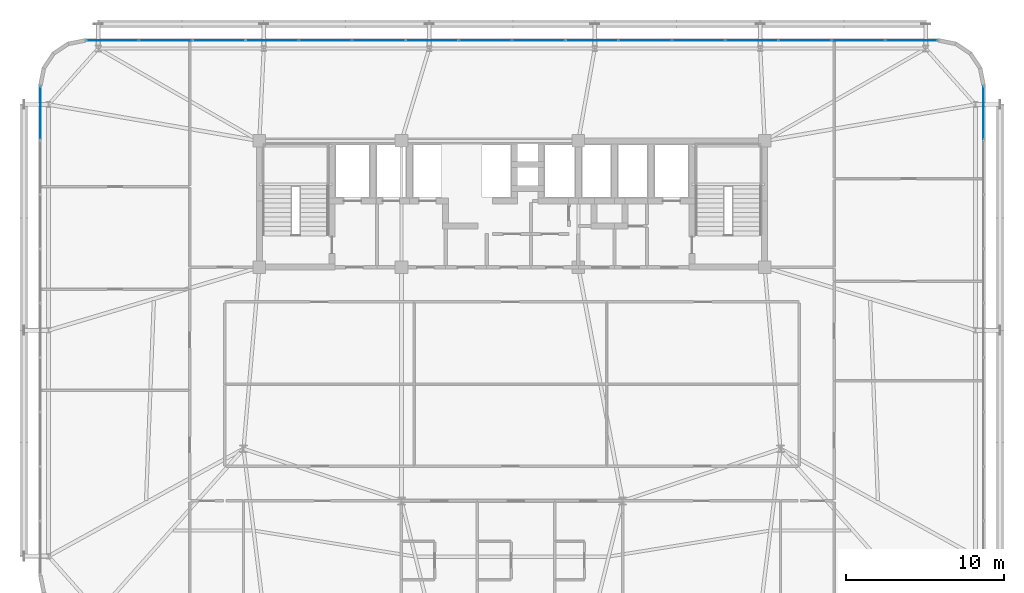
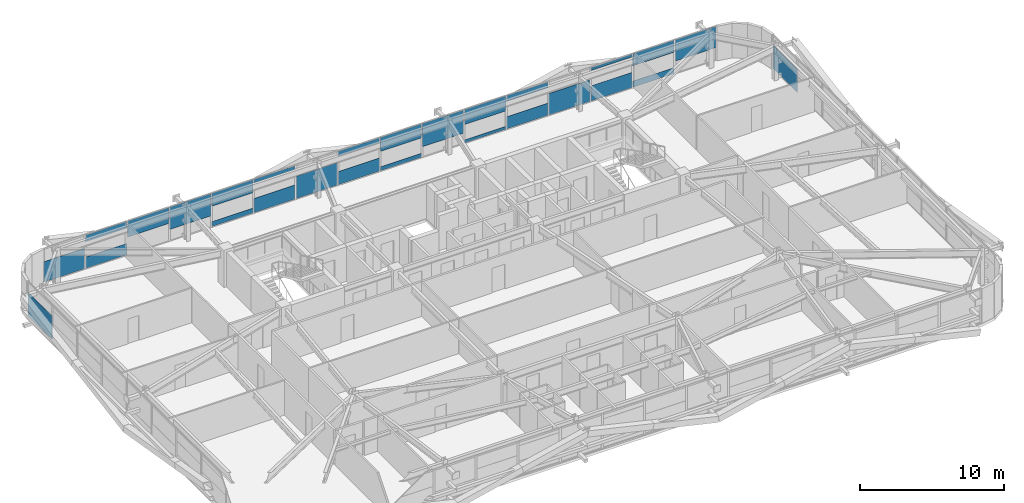
# One storey, part 43 of 59: 27 plates, 3 elements without a shape of their own.
"""IFC4 building model written with IfcOpenShell, lengths in metres."""

from ifc_helpers import new_model, si_unit, direction, frame, origin, origin_2d, place, context, subcontext, project, spatial, rectangle, extrude, source, transform, mapped, material, layer, layer_set, type_object, element, aggregate, save


model = new_model("IFC4")

# Units and contexts
model_context = context("Model", 3, precision=1e-05, world=origin(), true_north=direction((0.0, 1.0)))
body_context = subcontext(model_context, "Body", "Model", "MODEL_VIEW")
ifc_project = project(units=[si_unit("LENGTHUNIT", "METRE"), si_unit("AREAUNIT", "SQUARE_METRE"), si_unit("VOLUMEUNIT", "CUBIC_METRE"), si_unit("PLANEANGLEUNIT", "RADIAN"), si_unit("MASSUNIT", "GRAM", prefix="KILO")], contexts=[model_context])

# Site, building, storey
site_placement = place(None, origin())
site = spatial("IfcSite", under=ifc_project, at=site_placement, CompositionType="ELEMENT")
building_placement = place(site_placement, origin())
building = spatial("IfcBuilding", under=site, at=building_placement, Name="Taldren Reach Tower", CompositionType="ELEMENT")
storey_placement = place(building_placement, frame((0.0, 0.0, 45.14990234375)))
storey = spatial("IfcBuildingStorey", under=building, at=storey_placement, Name="L13", CompositionType="ELEMENT", Elevation=45.14990234375)

# Curtain wall, plates
ifc_material_1 = material(Name="Aluminium and Low-E Glass Unitised System", Category="aluminium")
ifc_layer_1 = layer(ifc_material_1, 0.159912109375)
ifc_layer_set_1 = layer_set([ifc_layer_1], Name="Aluminium and Low-E Glass Unitised System")
curtain_wall_type = type_object("IfcCurtainWallType", Name="CW-SYS-2", PredefinedType="NOTDEFINED", material=ifc_layer_set_1)
curtain_wall_1_placement = place(storey_placement, origin())
curtain_wall_1 = element("IfcCurtainWall", 1, at=curtain_wall_1_placement, inside=storey, type_object=curtain_wall_type, Name="Unitised curtain wall CW-L13-N", PredefinedType="NOTDEFINED")
ifc_material_2 = material(Name="Solar-Control Double Glazed IGU", Category="glass")
ifc_layer_2 = layer(ifc_material_2, 0.031982421875)
ifc_layer_set_2 = layer_set([ifc_layer_2], Name="Solar-Control Double Glazed IGU")
plate_type = type_object("IfcPlateType", Name="CW-PNL-IGU32", PredefinedType="CURTAIN_PANEL", material=ifc_layer_set_2)
shared_shape_1 = source(origin(), body_context, "Body", "SweptSolid", [
    extrude(rectangle(XDim=3.277587890625, YDim=0.031982421875, at=origin_2d()), origin(), (0.0, 0.0, 1.0), 1.73876953125),
])
plate_1_placement = place(storey_placement, frame((9.703857421875, 38.360107421875, 0.05517578125), z_axis=(0.0, 0.0, 1.0), x_axis=(-1.0, 0.0, 0.0)))
plate_1 = element("IfcPlate", 2, at=plate_1_placement, type_object=plate_type, Name="CW-2 panel 16.1 part 1", PredefinedType="CURTAIN_PANEL", context=body_context, shape_type="MappedRepresentation", body=[
    mapped(shared_shape_1, transform((0.0, 0.0, 0.0), scale=1.0)),
])
shared_shape_2 = source(origin(), body_context, "Body", "SweptSolid", [
    extrude(rectangle(XDim=3.31005859375, YDim=0.031982421875, at=origin_2d()), origin(), (0.0, 0.0, 1.0), 0.9560546875),
])
plate_2_placement = place(storey_placement, frame((13.0625, 38.360107421875, 0.05517578125), z_axis=(0.0, 0.0, 1.0), x_axis=(-1.0, 0.0, 0.0)))
plate_2 = element("IfcPlate", 3, at=plate_2_placement, type_object=plate_type, Name="CW-2 panel 15.1 part 1", PredefinedType="CURTAIN_PANEL", context=body_context, shape_type="MappedRepresentation", body=[
    mapped(shared_shape_2, transform((0.0, 0.0, 0.0), scale=1.0)),
])
shared_shape_3 = source(origin(), body_context, "Body", "SweptSolid", [
    extrude(rectangle(XDim=3.31005859375, YDim=0.031982421875, at=origin_2d()), origin(), (0.0, 0.0, 1.0), 0.562744140625),
])
plate_3_placement = place(storey_placement, frame((13.0625, 38.360107421875, 2.3125), z_axis=(0.0, 0.0, 1.0), x_axis=(-1.0, 0.0, 0.0)))
plate_3 = element("IfcPlate", 4, at=plate_3_placement, type_object=plate_type, Name="CW-2 panel 15.1 part 2", PredefinedType="CURTAIN_PANEL", context=body_context, shape_type="MappedRepresentation", body=[
    mapped(shared_shape_3, transform((0.0, 0.0, 0.0), scale=1.0)),
])
shared_shape_4 = source(origin(), body_context, "Body", "SweptSolid", [
    extrude(rectangle(XDim=3.31005859375, YDim=0.031982421875, at=origin_2d()), origin(), (0.0, 0.0, 1.0), 1.345458984375),
])
plate_4_placement = place(storey_placement, frame((16.4375, 38.360107421875, 1.52978515625), z_axis=(0.0, 0.0, 1.0), x_axis=(-1.0, 0.0, 0.0)))
plate_4 = element("IfcPlate", 5, at=plate_4_placement, type_object=plate_type, Name="CW-2 panel 14.1 part 1", PredefinedType="CURTAIN_PANEL", context=body_context, shape_type="MappedRepresentation", body=[
    mapped(shared_shape_4, transform((0.0, 0.0, 0.0), scale=1.0)),
])
shared_shape_5 = source(origin(), body_context, "Body", "SweptSolid", [
    extrude(rectangle(XDim=3.31005859375, YDim=0.031982421875, at=origin_2d()), origin(), (0.0, 0.0, 1.0), 1.881103515625),
])
plate_5_placement = place(storey_placement, frame((19.8125, 38.360107421875, 0.994140625), z_axis=(0.0, 0.0, 1.0), x_axis=(-1.0, 0.0, 0.0)))
plate_5 = element("IfcPlate", 6, at=plate_5_placement, type_object=plate_type, Name="CW-2 panel 13.1 part 1", PredefinedType="CURTAIN_PANEL", context=body_context, shape_type="MappedRepresentation", body=[
    mapped(shared_shape_5, transform((0.0, 0.0, 0.0), scale=1.0)),
])
shared_shape_6 = source(origin(), body_context, "Body", "SweptSolid", [
    extrude(rectangle(XDim=3.31005859375, YDim=0.031982421875, at=origin_2d()), origin(), (0.0, 0.0, 1.0), 0.42041015625),
])
plate_6_placement = place(storey_placement, frame((23.1875, 38.360107421875, 0.05517578125), z_axis=(0.0, 0.0, 1.0), x_axis=(-1.0, 0.0, 0.0)))
plate_6 = element("IfcPlate", 7, at=plate_6_placement, type_object=plate_type, Name="CW-2 panel 12.1 part 1", PredefinedType="CURTAIN_PANEL", context=body_context, shape_type="MappedRepresentation", body=[
    mapped(shared_shape_6, transform((0.0, 0.0, 0.0), scale=1.0)),
])
shared_shape_7 = source(origin(), body_context, "Body", "SweptSolid", [
    extrude(rectangle(XDim=3.31005859375, YDim=0.031982421875, at=origin_2d()), origin(), (0.0, 0.0, 1.0), 1.098388671875),
])
plate_7_placement = place(storey_placement, frame((23.1875, 38.360107421875, 1.77685546875), z_axis=(0.0, 0.0, 1.0), x_axis=(-1.0, 0.0, 0.0)))
plate_7 = element("IfcPlate", 8, at=plate_7_placement, type_object=plate_type, Name="CW-2 panel 12.1 part 2", PredefinedType="CURTAIN_PANEL", context=body_context, shape_type="MappedRepresentation", body=[
    mapped(shared_shape_7, transform((0.0, 0.0, 0.0), scale=1.0)),
])
shared_shape_8 = source(origin(), body_context, "Body", "SweptSolid", [
    extrude(rectangle(XDim=3.31005859375, YDim=0.031982421875, at=origin_2d()), origin(), (0.0, 0.0, 1.0), 1.203125),
])
plate_8_placement = place(storey_placement, frame((26.5625, 38.360107421875, 0.05517578125), z_axis=(0.0, 0.0, 1.0), x_axis=(-1.0, 0.0, 0.0)))
plate_8 = element("IfcPlate", 9, at=plate_8_placement, type_object=plate_type, Name="CW-2 panel 11.1 part 1", PredefinedType="CURTAIN_PANEL", context=body_context, shape_type="MappedRepresentation", body=[
    mapped(shared_shape_8, transform((0.0, 0.0, 0.0), scale=1.0)),
])
shared_shape_9 = source(origin(), body_context, "Body", "SweptSolid", [
    extrude(rectangle(XDim=3.31005859375, YDim=0.031982421875, at=origin_2d()), origin(), (0.0, 0.0, 1.0), 0.31591796875),
])
plate_9_placement = place(storey_placement, frame((26.5625, 38.360107421875, 2.55908203125), z_axis=(0.0, 0.0, 1.0), x_axis=(-1.0, 0.0, 0.0)))
plate_9 = element("IfcPlate", 10, at=plate_9_placement, type_object=plate_type, Name="CW-2 panel 11.1 part 2", PredefinedType="CURTAIN_PANEL", context=body_context, shape_type="MappedRepresentation", body=[
    mapped(shared_shape_9, transform((0.0, 0.0, 0.0), scale=1.0)),
])
shared_shape_10 = source(origin(), body_context, "Body", "SweptSolid", [
    extrude(rectangle(XDim=3.31005859375, YDim=0.031982421875, at=origin_2d()), origin(), (0.0, 0.0, 1.0), 1.9033203125),
])
plate_10_placement = place(storey_placement, frame((29.9375, 38.360107421875, 0.05517578125), z_axis=(0.0, 0.0, 1.0), x_axis=(-1.0, 0.0, 0.0)))
plate_10 = element("IfcPlate", 11, at=plate_10_placement, type_object=plate_type, Name="CW-2 panel 10.1 part 1", PredefinedType="CURTAIN_PANEL", context=body_context, shape_type="MappedRepresentation", body=[
    mapped(shared_shape_10, transform((0.0, 0.0, 0.0), scale=1.0)),
])
shared_shape_11 = source(origin(), body_context, "Body", "SweptSolid", [
    extrude(rectangle(XDim=3.31005859375, YDim=0.031982421875, at=origin_2d()), origin(), (0.0, 0.0, 1.0), 1.120849609375),
])
plate_11_placement = place(storey_placement, frame((33.3125, 38.360107421875, 0.05517578125), z_axis=(0.0, 0.0, 1.0), x_axis=(-1.0, 0.0, 0.0)))
plate_11 = element("IfcPlate", 12, at=plate_11_placement, type_object=plate_type, Name="CW-2 panel 9.1 part 1", PredefinedType="CURTAIN_PANEL", context=body_context, shape_type="MappedRepresentation", body=[
    mapped(shared_shape_11, transform((0.0, 0.0, 0.0), scale=1.0)),
])
shared_shape_12 = source(origin(), body_context, "Body", "SweptSolid", [
    extrude(rectangle(XDim=3.31005859375, YDim=0.031982421875, at=origin_2d()), origin(), (0.0, 0.0, 1.0), 0.398193359375),
])
plate_12_placement = place(storey_placement, frame((33.3125, 38.360107421875, 2.47705078125), z_axis=(0.0, 0.0, 1.0), x_axis=(-1.0, 0.0, 0.0)))
plate_12 = element("IfcPlate", 13, at=plate_12_placement, type_object=plate_type, Name="CW-2 panel 9.1 part 2", PredefinedType="CURTAIN_PANEL", context=body_context, shape_type="MappedRepresentation", body=[
    mapped(shared_shape_12, transform((0.0, 0.0, 0.0), scale=1.0)),
])
shared_shape_13 = source(origin(), body_context, "Body", "SweptSolid", [
    extrude(rectangle(XDim=3.31005859375, YDim=0.031982421875, at=origin_2d()), origin(), (0.0, 0.0, 1.0), 0.338134765625),
])
plate_13_placement = place(storey_placement, frame((36.6875, 38.360107421875, 0.05517578125), z_axis=(0.0, 0.0, 1.0), x_axis=(-1.0, 0.0, 0.0)))
plate_13 = element("IfcPlate", 14, at=plate_13_placement, type_object=plate_type, Name="CW-2 panel 8.1 part 1", PredefinedType="CURTAIN_PANEL", context=body_context, shape_type="MappedRepresentation", body=[
    mapped(shared_shape_13, transform((0.0, 0.0, 0.0), scale=1.0)),
])
shared_shape_14 = source(origin(), body_context, "Body", "SweptSolid", [
    extrude(rectangle(XDim=3.31005859375, YDim=0.031982421875, at=origin_2d()), origin(), (0.0, 0.0, 1.0), 1.1806640625),
])
plate_14_placement = place(storey_placement, frame((36.6875, 38.360107421875, 1.6943359375), z_axis=(0.0, 0.0, 1.0), x_axis=(-1.0, 0.0, 0.0)))
plate_14 = element("IfcPlate", 15, at=plate_14_placement, type_object=plate_type, Name="CW-2 panel 8.1 part 2", PredefinedType="CURTAIN_PANEL", context=body_context, shape_type="MappedRepresentation", body=[
    mapped(shared_shape_14, transform((0.0, 0.0, 0.0), scale=1.0)),
])
shared_shape_15 = source(origin(), body_context, "Body", "SweptSolid", [
    extrude(rectangle(XDim=3.31005859375, YDim=0.031982421875, at=origin_2d()), origin(), (0.0, 0.0, 1.0), 1.96337890625),
])
plate_15_placement = place(storey_placement, frame((40.0625, 38.360107421875, 0.91162109375), z_axis=(0.0, 0.0, 1.0), x_axis=(-1.0, 0.0, 0.0)))
plate_15 = element("IfcPlate", 16, at=plate_15_placement, type_object=plate_type, Name="CW-2 panel 7.1 part 1", PredefinedType="CURTAIN_PANEL", context=body_context, shape_type="MappedRepresentation", body=[
    mapped(shared_shape_15, transform((0.0, 0.0, 0.0), scale=1.0)),
])
shared_shape_16 = source(origin(), body_context, "Body", "SweptSolid", [
    extrude(rectangle(XDim=3.31005859375, YDim=0.031982421875, at=origin_2d()), origin(), (0.0, 0.0, 1.0), 0.255859375),
])
plate_16_placement = place(storey_placement, frame((43.4375, 38.360107421875, 0.05517578125), z_axis=(0.0, 0.0, 1.0), x_axis=(-1.0, 0.0, 0.0)))
plate_16 = element("IfcPlate", 17, at=plate_16_placement, type_object=plate_type, Name="CW-2 panel 6.1 part 1", PredefinedType="CURTAIN_PANEL", context=body_context, shape_type="MappedRepresentation", body=[
    mapped(shared_shape_16, transform((0.0, 0.0, 0.0), scale=1.0)),
])
shared_shape_17 = source(origin(), body_context, "Body", "SweptSolid", [
    extrude(rectangle(XDim=3.31005859375, YDim=0.031982421875, at=origin_2d()), origin(), (0.0, 0.0, 1.0), 1.26318359375),
])
plate_17_placement = place(storey_placement, frame((43.4375, 38.360107421875, 1.612060546875), z_axis=(0.0, 0.0, 1.0), x_axis=(-1.0, 0.0, 0.0)))
plate_17 = element("IfcPlate", 18, at=plate_17_placement, type_object=plate_type, Name="CW-2 panel 6.1 part 2", PredefinedType="CURTAIN_PANEL", context=body_context, shape_type="MappedRepresentation", body=[
    mapped(shared_shape_17, transform((0.0, 0.0, 0.0), scale=1.0)),
])
shared_shape_18 = source(origin(), body_context, "Body", "SweptSolid", [
    extrude(rectangle(XDim=3.31005859375, YDim=0.031982421875, at=origin_2d()), origin(), (0.0, 0.0, 1.0), 1.03857421875),
])
plate_18_placement = place(storey_placement, frame((46.8125, 38.360107421875, 0.054931640625), z_axis=(0.0, 0.0, 1.0), x_axis=(-1.0, 0.0, 0.0)))
plate_18 = element("IfcPlate", 19, at=plate_18_placement, type_object=plate_type, Name="CW-2 panel 5.1 part 1", PredefinedType="CURTAIN_PANEL", context=body_context, shape_type="MappedRepresentation", body=[
    mapped(shared_shape_18, transform((0.0, 0.0, 0.0), scale=1.0)),
])
shared_shape_19 = source(origin(), body_context, "Body", "SweptSolid", [
    extrude(rectangle(XDim=3.31005859375, YDim=0.031982421875, at=origin_2d()), origin(), (0.0, 0.0, 1.0), 0.48046875),
])
plate_19_placement = place(storey_placement, frame((46.8125, 38.360107421875, 2.39453125), z_axis=(0.0, 0.0, 1.0), x_axis=(-1.0, 0.0, 0.0)))
plate_19 = element("IfcPlate", 20, at=plate_19_placement, type_object=plate_type, Name="CW-2 panel 5.1 part 2", PredefinedType="CURTAIN_PANEL", context=body_context, shape_type="MappedRepresentation", body=[
    mapped(shared_shape_19, transform((0.0, 0.0, 0.0), scale=1.0)),
])
shared_shape_20 = source(origin(), body_context, "Body", "SweptSolid", [
    extrude(rectangle(XDim=3.31005859375, YDim=0.031982421875, at=origin_2d()), origin(), (0.0, 0.0, 1.0), 1.821044921875),
])
plate_20_placement = place(storey_placement, frame((50.1875, 38.360107421875, 0.05517578125), z_axis=(0.0, 0.0, 1.0), x_axis=(-1.0, 0.0, 0.0)))
plate_20 = element("IfcPlate", 21, at=plate_20_placement, type_object=plate_type, Name="CW-2 panel 4.1 part 1", PredefinedType="CURTAIN_PANEL", context=body_context, shape_type="MappedRepresentation", body=[
    mapped(shared_shape_20, transform((0.0, 0.0, 0.0), scale=1.0)),
])
shared_shape_21 = source(origin(), body_context, "Body", "SweptSolid", [
    extrude(rectangle(XDim=3.31005859375, YDim=0.031982421875, at=origin_2d()), origin(), (0.0, 0.0, 1.0), 1.285400390625),
])
plate_21_placement = place(storey_placement, frame((53.5625, 38.360107421875, 0.05517578125), z_axis=(0.0, 0.0, 1.0), x_axis=(-1.0, 0.0, 0.0)))
plate_21 = element("IfcPlate", 22, at=plate_21_placement, type_object=plate_type, Name="CW-2 panel 3.1 part 1", PredefinedType="CURTAIN_PANEL", context=body_context, shape_type="MappedRepresentation", body=[
    mapped(shared_shape_21, transform((0.0, 0.0, 0.0), scale=1.0)),
])
shared_shape_22 = source(origin(), body_context, "Body", "SweptSolid", [
    extrude(rectangle(XDim=3.31005859375, YDim=0.031982421875, at=origin_2d()), origin(), (0.0, 0.0, 1.0), 0.233642578125),
])
plate_22_placement = place(storey_placement, frame((53.5625, 38.360107421875, 2.6416015625), z_axis=(0.0, 0.0, 1.0), x_axis=(-1.0, 0.0, 0.0)))
plate_22 = element("IfcPlate", 23, at=plate_22_placement, type_object=plate_type, Name="CW-2 panel 3.1 part 2", PredefinedType="CURTAIN_PANEL", context=body_context, shape_type="MappedRepresentation", body=[
    mapped(shared_shape_22, transform((0.0, 0.0, 0.0), scale=1.0)),
])
shared_shape_23 = source(origin(), body_context, "Body", "SweptSolid", [
    extrude(rectangle(XDim=3.31005859375, YDim=0.031982421875, at=origin_2d()), origin(), (0.0, 0.0, 1.0), 0.5029296875),
])
plate_23_placement = place(storey_placement, frame((56.9375, 38.360107421875, 0.054931640625), z_axis=(0.0, 0.0, 1.0), x_axis=(-1.0, 0.0, 0.0)))
plate_23 = element("IfcPlate", 24, at=plate_23_placement, type_object=plate_type, Name="CW-2 panel 2.1 part 1", PredefinedType="CURTAIN_PANEL", context=body_context, shape_type="MappedRepresentation", body=[
    mapped(shared_shape_23, transform((0.0, 0.0, 0.0), scale=1.0)),
])
shared_shape_24 = source(origin(), body_context, "Body", "SweptSolid", [
    extrude(rectangle(XDim=3.31005859375, YDim=0.031982421875, at=origin_2d()), origin(), (0.0, 0.0, 1.0), 1.01611328125),
])
plate_24_placement = place(storey_placement, frame((56.9375, 38.360107421875, 1.85888671875), z_axis=(0.0, 0.0, 1.0), x_axis=(-1.0, 0.0, 0.0)))
plate_24 = element("IfcPlate", 25, at=plate_24_placement, type_object=plate_type, Name="CW-2 panel 2.1 part 2", PredefinedType="CURTAIN_PANEL", context=body_context, shape_type="MappedRepresentation", body=[
    mapped(shared_shape_24, transform((0.0, 0.0, 0.0), scale=1.0)),
])
shared_shape_25 = source(origin(), body_context, "Body", "SweptSolid", [
    extrude(rectangle(XDim=3.277587890625, YDim=0.031982421875, at=origin_2d()), origin(), (0.0, 0.0, 1.0), 1.798583984375),
])
plate_25_placement = place(storey_placement, frame((60.296142578125, 38.360107421875, 1.07666015625), z_axis=(0.0, 0.0, 1.0), x_axis=(-1.0, 0.0, 0.0)))
plate_25 = element("IfcPlate", 26, at=plate_25_placement, type_object=plate_type, Name="CW-2 panel 1.1 part 1", PredefinedType="CURTAIN_PANEL", context=body_context, shape_type="MappedRepresentation", body=[
    mapped(shared_shape_25, transform((0.0, 0.0, 0.0), scale=1.0)),
])
aggregate(curtain_wall_1, [plate_25, plate_23, plate_24, plate_21, plate_22, plate_20, plate_18, plate_19, plate_16, plate_17, plate_15, plate_13, plate_14, plate_11, plate_12, plate_10, plate_8, plate_9, plate_6, plate_7, plate_5, plate_4, plate_2, plate_3, plate_1])

# Curtain wall, plate
curtain_wall_2_placement = place(storey_placement, origin())
curtain_wall_2 = element("IfcCurtainWall", 27, at=curtain_wall_2_placement, inside=storey, type_object=curtain_wall_type, Name="Unitised curtain wall CW-L13-W", PredefinedType="NOTDEFINED")
shared_shape_26 = source(origin(), body_context, "Body", "SweptSolid", [
    extrude(rectangle(XDim=3.346923828125, YDim=0.031982421875, at=origin_2d()), origin(), (0.0, 0.0, 1.0), 1.95556640625),
])
plate_26_placement = place(storey_placement, frame((5.139892578125, 33.761474609375, 0.054931640625), z_axis=(0.0, 0.0, 1.0), x_axis=(0.0, -1.0, 0.0)))
plate_26 = element("IfcPlate", 28, at=plate_26_placement, type_object=plate_type, Name="CW-2 panel 1.1 part 1", PredefinedType="CURTAIN_PANEL", context=body_context, shape_type="MappedRepresentation", body=[
    mapped(shared_shape_26, transform((0.0, 0.0, 0.0), scale=1.0)),
])
aggregate(curtain_wall_2, [plate_26])

curtain_wall_3_placement = place(storey_placement, origin())
curtain_wall_3 = element("IfcCurtainWall", 29, at=curtain_wall_3_placement, inside=storey, type_object=curtain_wall_type, Name="Unitised curtain wall CW-L13-E", PredefinedType="NOTDEFINED")
plate_27_placement = place(storey_placement, frame((64.860107421875, 33.761474609375, 0.054931640625), z_axis=(0.0, 0.0, 1.0), x_axis=(0.0, 1.0, 0.0)))
plate_27 = element("IfcPlate", 30, at=plate_27_placement, type_object=plate_type, Name="CW-2 panel 9.1 part 1", PredefinedType="CURTAIN_PANEL", context=body_context, shape_type="MappedRepresentation", body=[
    mapped(shared_shape_26, transform((0.0, 0.0, 0.0), scale=1.0)),
])
aggregate(curtain_wall_3, [plate_27])

save(model, "model.ifc")
